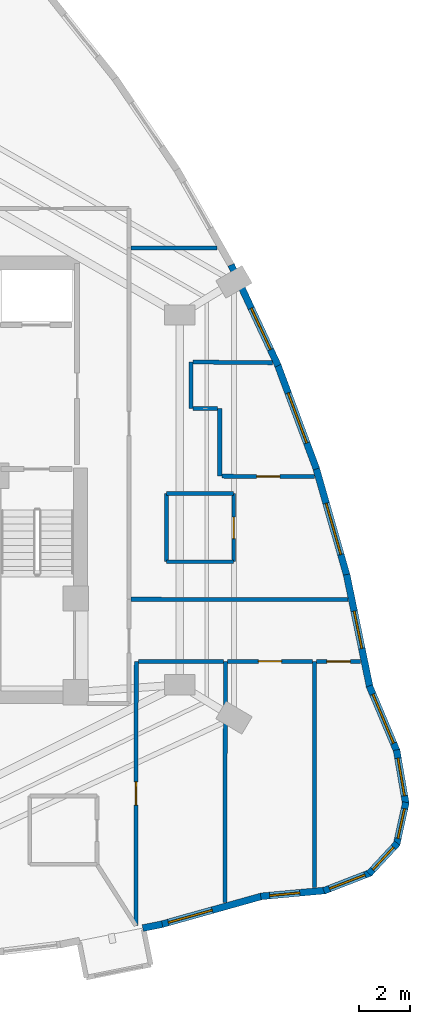
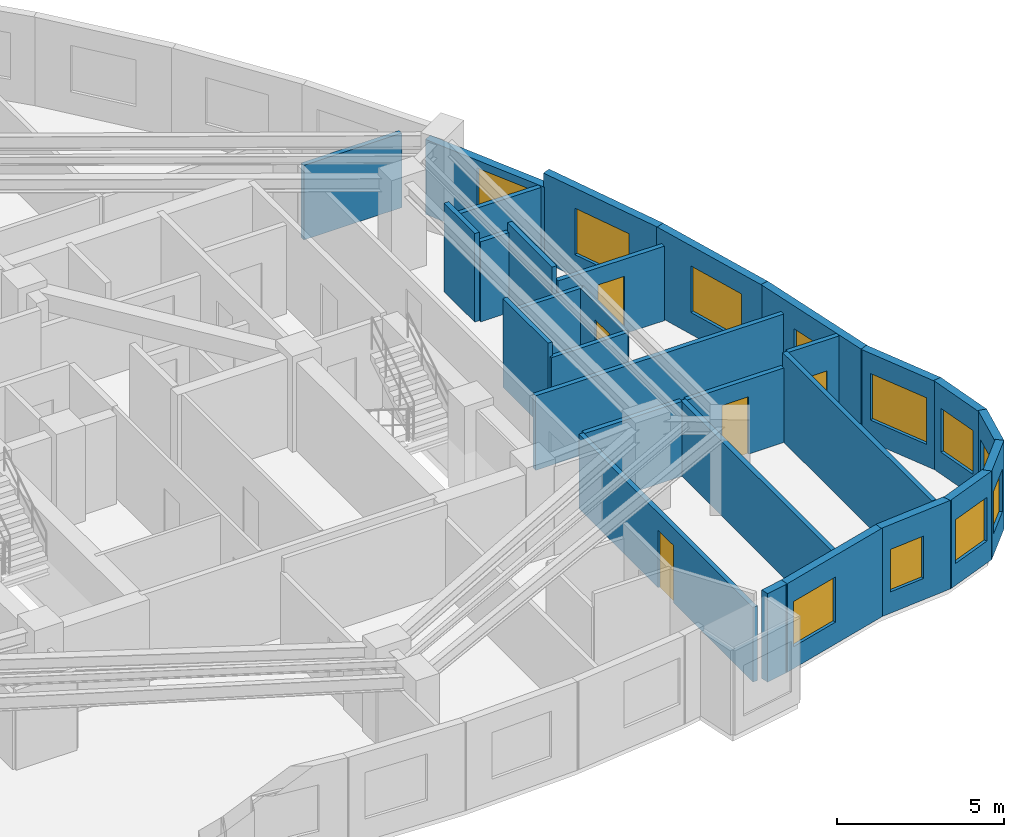
# One storey, part 9 of 12: 29 walls, 11 windows, 5 doors, 16 openings.
"""IFC4 building model written with IfcOpenShell, lengths in metres."""

from ifc_helpers import new_model, si_unit, direction, frame, frame_2d, origin, place, context, subcontext, project, spatial, rectangle, extrude, material, layer, layer_set, type_object, element, fill, save


model = new_model("IFC4")

# Units and contexts
model_context = context("Model", 3, precision=1e-05, world=origin(), true_north=direction((0.0, 1.0)))
body_context = subcontext(model_context, "Body", "Model", "MODEL_VIEW")
ifc_project = project(units=[si_unit("LENGTHUNIT", "METRE"), si_unit("AREAUNIT", "SQUARE_METRE"), si_unit("VOLUMEUNIT", "CUBIC_METRE"), si_unit("PLANEANGLEUNIT", "RADIAN"), si_unit("MASSUNIT", "GRAM", prefix="KILO")], contexts=[model_context])

# Site, building, storey
site_placement = place(None, origin())
site = spatial("IfcSite", under=ifc_project, at=site_placement, CompositionType="ELEMENT")
building_placement = place(site_placement, origin())
building = spatial("IfcBuilding", under=site, at=building_placement, Name="Miruveldt Soraemaru", CompositionType="ELEMENT")
storey_placement = place(building_placement, frame((0.0, 0.0, 145.89990234375)))
storey = spatial("IfcBuildingStorey", under=building, at=storey_placement, Name="L40", CompositionType="ELEMENT", Elevation=145.89990234375)

# Wall
ifc_material_1 = material(Name="Precast concrete C45/55 (45 MPa)", Category="concrete")
ifc_layer_1 = layer(ifc_material_1, 0.27001953125, Name="Precast concrete C45/55 (45 MPa)", Category="concrete")
ifc_layer_set_1 = layer_set([ifc_layer_1], Name="Precast concrete C45/55 (45 MPa)")
wall_type_1 = type_object("IfcWallType", Name="WALL-EXT-PC270", PredefinedType="SOLIDWALL", material=ifc_layer_set_1)
wall_1_placement = place(storey_placement, frame((55.14111328125, 26.188720703125, 0.0), z_axis=(0.0, 0.0, 1.0), x_axis=(0.98059266213, 0.196056193414, 0.0)))
element("IfcWall", 1, at=wall_1_placement, inside=storey, type_object=wall_type_1, Name="L40 Precast Pier Wall 27B", PredefinedType="SOLIDWALL", context=body_context, shape_type="SweptSolid", body=[
    extrude(rectangle(XDim=0.783203125, YDim=0.27001953125, at=frame_2d((0.3916015625, 0.0))), origin(), (0.0, 0.0, 1.0), 3.235107421875),
])

# Wall, opening, window
wall_2_placement = place(storey_placement, frame((55.84130859375, 26.326171875, 0.0), z_axis=(0.0, 0.0, 1.0), x_axis=(0.962977968869, 0.269580102147, 0.0)))
wall_2 = element("IfcWall", 2, at=wall_2_placement, inside=storey, type_object=wall_type_1, Name="L40 Precast Concrete Facade Wall 28", PredefinedType="SOLIDWALL", context=body_context, shape_type="SweptSolid", body=[
    extrude(rectangle(XDim=4.180419921875, YDim=0.27001953125, at=frame_2d((2.09033203125, 0.0))), origin(), (0.0, 0.0, 1.0), 3.235107421875),
])
opening_1_placement = place(wall_2_placement, frame((0.322021484375, 0.0, 0.800048828125)))
opening_1 = element("IfcOpeningElement", 3, at=opening_1_placement, cuts=wall_2, Name="Opening WN-2", PredefinedType="OPENING", context=body_context, shape_type="SweptSolid", body=[
    extrude(rectangle(XDim=1.800048828125, YDim=1.64990234375, at=frame_2d((0.89990234375, 0.824951171875))), frame((0.0, 0.14501953125, 0.0), z_axis=(0.0, -1.0, 0.0), x_axis=(1.0, 0.0, 0.0)), (0.0, 0.0, 1.0), 0.2900390625),
])
ifc_material_2 = material(Name="Triple low-e insulated glazing", Category="glass")
window_type_1 = type_object("IfcWindowType", Name="WIN-PUNCH-1800x1650", PartitioningType="SINGLE_PANEL", PredefinedType="WINDOW", material=ifc_material_2)
window_1_placement = place(opening_1_placement, origin())
window_1 = element("IfcWindow", 4, at=window_1_placement, inside=storey, type_object=window_type_1, Name="L40 Punched Triple-Glazed Window 28.1", OverallHeight=1.64990234375, OverallWidth=1.800048828125, PartitioningType="SINGLE_PANEL", PredefinedType="WINDOW", context=body_context, shape_type="SweptSolid", body=[
    extrude(rectangle(XDim=1.800048828125, YDim=1.64990234375, at=frame_2d((0.89990234375, 0.824951171875))), frame((0.0, 0.030029296875, 0.0), z_axis=(0.0, -1.0, 0.0), x_axis=(1.0, 0.0, 0.0)), (0.0, 0.0, 1.0), 0.06005859375),
])
fill(opening_1, window_1)

wall_3_placement = place(storey_placement, frame((59.79833984375, 27.440673828125, 0.0), z_axis=(0.0, 0.0, 1.0), x_axis=(0.995762129264, 0.091966199898, 0.0)))
wall_3 = element("IfcWall", 5, at=wall_3_placement, inside=storey, type_object=wall_type_1, Name="L40 Precast Concrete Facade Wall 29", PredefinedType="SOLIDWALL", context=body_context, shape_type="SweptSolid", body=[
    extrude(rectangle(XDim=2.56982421875, YDim=0.27001953125, at=frame_2d((1.284912109375, 0.0))), origin(), (0.0, 0.0, 1.0), 3.235107421875),
])
opening_2_placement = place(wall_3_placement, frame((0.35009765625, 0.0, 0.780029296875)))
opening_2 = element("IfcOpeningElement", 6, at=opening_2_placement, cuts=wall_3, Name="Opening WN-4", PredefinedType="OPENING", context=body_context, shape_type="SweptSolid", body=[
    extrude(rectangle(XDim=1.199951171875, YDim=1.550048828125, at=frame_2d((0.60009765625, 0.77490234375))), frame((0.0, 0.14501953125, 0.0), z_axis=(0.0, -1.0, 0.0), x_axis=(1.0, 0.0, 0.0)), (0.0, 0.0, 1.0), 0.2900390625),
])
window_type_2 = type_object("IfcWindowType", Name="WIN-PUNCH-1200x1550", PartitioningType="SINGLE_PANEL", PredefinedType="WINDOW", material=ifc_material_2)
window_2_placement = place(opening_2_placement, origin())
window_2 = element("IfcWindow", 7, at=window_2_placement, inside=storey, type_object=window_type_2, Name="L40 Punched Triple-Glazed Window 29.1", OverallHeight=1.550048828125, OverallWidth=1.199951171875, PartitioningType="SINGLE_PANEL", PredefinedType="WINDOW", context=body_context, shape_type="SweptSolid", body=[
    extrude(rectangle(XDim=1.199951171875, YDim=1.550048828125, at=frame_2d((0.60009765625, 0.77490234375))), frame((0.0, 0.030029296875, 0.0), z_axis=(0.0, -1.0, 0.0), x_axis=(1.0, 0.0, 0.0)), (0.0, 0.0, 1.0), 0.06005859375),
])
fill(opening_2, window_2)

wall_4_placement = place(storey_placement, frame((62.28955078125, 27.660888671875, 0.0), z_axis=(0.0, 0.0, 1.0), x_axis=(0.932243176996, 0.361832363041, 0.0)))
wall_4 = element("IfcWall", 8, at=wall_4_placement, inside=storey, type_object=wall_type_1, Name="L40 Precast Concrete Facade Wall 30", PredefinedType="SOLIDWALL", context=body_context, shape_type="SweptSolid", body=[
    extrude(rectangle(XDim=1.97705078125, YDim=0.27001953125, at=frame_2d((0.988525390625, 0.0))), origin(), (0.0, 0.0, 1.0), 3.235107421875),
])
opening_3_placement = place(wall_4_placement, frame((0.238037109375, 0.0, 0.800048828125)))
opening_3 = element("IfcOpeningElement", 9, at=opening_3_placement, cuts=wall_4, Name="Opening WN-3", PredefinedType="OPENING", context=body_context, shape_type="SweptSolid", body=[
    extrude(rectangle(XDim=1.5, YDim=1.60009765625, at=frame_2d((0.75, 0.800048828125))), frame((0.0, 0.14501953125, 0.0), z_axis=(0.0, -1.0, 0.0), x_axis=(1.0, 0.0, 0.0)), (0.0, 0.0, 1.0), 0.2900390625),
])
window_type_3 = type_object("IfcWindowType", Name="WIN-PUNCH-1500x1600", PartitioningType="SINGLE_PANEL", PredefinedType="WINDOW", material=ifc_material_2)
window_3_placement = place(opening_3_placement, origin())
window_3 = element("IfcWindow", 10, at=window_3_placement, inside=storey, type_object=window_type_3, Name="L40 Punched Triple-Glazed Window 30.1", OverallHeight=1.60009765625, OverallWidth=1.5, PartitioningType="SINGLE_PANEL", PredefinedType="WINDOW", context=body_context, shape_type="SweptSolid", body=[
    extrude(rectangle(XDim=1.5, YDim=1.60009765625, at=frame_2d((0.75, 0.800048828125))), frame((0.0, 0.030029296875, 0.0), z_axis=(0.0, -1.0, 0.0), x_axis=(1.0, 0.0, 0.0)), (0.0, 0.0, 1.0), 0.06005859375),
])
fill(opening_3, window_3)

wall_5_placement = place(storey_placement, frame((64.076171875, 28.337890625, 0.0), z_axis=(0.0, 0.0, 1.0), x_axis=(0.680159524086, 0.733064132116, 0.0)))
wall_5 = element("IfcWall", 11, at=wall_5_placement, inside=storey, type_object=wall_type_1, Name="L40 Precast Concrete Facade Wall 31", PredefinedType="SOLIDWALL", context=body_context, shape_type="SweptSolid", body=[
    extrude(rectangle(XDim=1.63818359375, YDim=0.27001953125, at=frame_2d((0.819091796875, 0.0))), origin(), (0.0, 0.0, 1.0), 3.235107421875),
])
opening_4_placement = place(wall_5_placement, frame((0.218994140625, 0.0, 0.780029296875)))
opening_4 = element("IfcOpeningElement", 12, at=opening_4_placement, cuts=wall_5, Name="Opening WN-4", PredefinedType="OPENING", context=body_context, shape_type="SweptSolid", body=[
    extrude(rectangle(XDim=1.199951171875, YDim=1.550048828125, at=frame_2d((0.60009765625, 0.77490234375))), frame((0.0, 0.14501953125, 0.0), z_axis=(0.0, -1.0, 0.0), x_axis=(1.0, 0.0, 0.0)), (0.0, 0.0, 1.0), 0.2900390625),
])
window_4_placement = place(opening_4_placement, origin())
window_4 = element("IfcWindow", 13, at=window_4_placement, inside=storey, type_object=window_type_2, Name="L40 Punched Triple-Glazed Window 31.1", OverallHeight=1.550048828125, OverallWidth=1.199951171875, PartitioningType="SINGLE_PANEL", PredefinedType="WINDOW", context=body_context, shape_type="SweptSolid", body=[
    extrude(rectangle(XDim=1.199951171875, YDim=1.550048828125, at=frame_2d((0.60009765625, 0.77490234375))), frame((0.0, 0.030029296875, 0.0), z_axis=(0.0, -1.0, 0.0), x_axis=(1.0, 0.0, 0.0)), (0.0, 0.0, 1.0), 0.06005859375),
])
fill(opening_4, window_4)

wall_6_placement = place(storey_placement, frame((65.1591796875, 29.478759765625, 0.0), z_axis=(0.0, 0.0, 1.0), x_axis=(0.215561098386, 0.976490354721, 0.0)))
wall_6 = element("IfcWall", 14, at=wall_6_placement, inside=storey, type_object=wall_type_1, Name="L40 Precast Concrete Facade Wall 32", PredefinedType="SOLIDWALL", context=body_context, shape_type="SweptSolid", body=[
    extrude(rectangle(XDim=1.718017578125, YDim=0.27001953125, at=frame_2d((0.85888671875, 0.0))), origin(), (0.0, 0.0, 1.0), 3.235107421875),
])
opening_5_placement = place(wall_6_placement, frame((0.259033203125, 0.0, 0.780029296875)))
opening_5 = element("IfcOpeningElement", 15, at=opening_5_placement, cuts=wall_6, Name="Opening WN-4", PredefinedType="OPENING", context=body_context, shape_type="SweptSolid", body=[
    extrude(rectangle(XDim=1.199951171875, YDim=1.550048828125, at=frame_2d((0.60009765625, 0.77490234375))), frame((0.0, 0.14501953125, 0.0), z_axis=(0.0, -1.0, 0.0), x_axis=(1.0, 0.0, 0.0)), (0.0, 0.0, 1.0), 0.2900390625),
])
window_5_placement = place(opening_5_placement, origin())
window_5 = element("IfcWindow", 16, at=window_5_placement, inside=storey, type_object=window_type_2, Name="L40 Punched Triple-Glazed Window 32.1", OverallHeight=1.550048828125, OverallWidth=1.199951171875, PartitioningType="SINGLE_PANEL", PredefinedType="WINDOW", context=body_context, shape_type="SweptSolid", body=[
    extrude(rectangle(XDim=1.199951171875, YDim=1.550048828125, at=frame_2d((0.60009765625, 0.77490234375))), frame((0.0, 0.030029296875, 0.0), z_axis=(0.0, -1.0, 0.0), x_axis=(1.0, 0.0, 0.0)), (0.0, 0.0, 1.0), 0.06005859375),
])
fill(opening_5, window_5)

wall_7_placement = place(storey_placement, frame((65.528076171875, 31.087890625, 0.0), z_axis=(0.0, 0.0, 1.0), x_axis=(-0.169360474061, 0.985554173968, 0.0)))
wall_7 = element("IfcWall", 17, at=wall_7_placement, inside=storey, type_object=wall_type_1, Name="L40 Precast Concrete Facade Wall 33", PredefinedType="SOLIDWALL", context=body_context, shape_type="SweptSolid", body=[
    extrude(rectangle(XDim=2.16943359375, YDim=0.27001953125, at=frame_2d((1.084716796875, 0.0))), origin(), (0.0, 0.0, 1.0), 3.235107421875),
])
opening_6_placement = place(wall_7_placement, frame((0.3349609375, 0.0, 0.800048828125)))
opening_6 = element("IfcOpeningElement", 18, at=opening_6_placement, cuts=wall_7, Name="Opening WN-3", PredefinedType="OPENING", context=body_context, shape_type="SweptSolid", body=[
    extrude(rectangle(XDim=1.5, YDim=1.60009765625, at=frame_2d((0.75, 0.800048828125))), frame((0.0, 0.14501953125, 0.0), z_axis=(0.0, -1.0, 0.0), x_axis=(1.0, 0.0, 0.0)), (0.0, 0.0, 1.0), 0.2900390625),
])
window_6_placement = place(opening_6_placement, origin())
window_6 = element("IfcWindow", 19, at=window_6_placement, inside=storey, type_object=window_type_3, Name="L40 Punched Triple-Glazed Window 33.1", OverallHeight=1.60009765625, OverallWidth=1.5, PartitioningType="SINGLE_PANEL", PredefinedType="WINDOW", context=body_context, shape_type="SweptSolid", body=[
    extrude(rectangle(XDim=1.5, YDim=1.60009765625, at=frame_2d((0.75, 0.800048828125))), frame((0.0, 0.030029296875, 0.0), z_axis=(0.0, -1.0, 0.0), x_axis=(1.0, 0.0, 0.0)), (0.0, 0.0, 1.0), 0.06005859375),
])
fill(opening_6, window_6)

wall_8_placement = place(storey_placement, frame((65.18017578125, 33.159423828125, 0.0), z_axis=(0.0, 0.0, 1.0), x_axis=(-0.388688999756, 0.921369014819, 0.0)))
wall_8 = element("IfcWall", 20, at=wall_8_placement, inside=storey, type_object=wall_type_1, Name="L40 Precast Concrete Facade Wall 34", PredefinedType="SOLIDWALL", context=body_context, shape_type="SweptSolid", body=[
    extrude(rectangle(XDim=2.814453125, YDim=0.27001953125, at=frame_2d((1.4072265625, 0.0))), origin(), (0.0, 0.0, 1.0), 3.235107421875),
])
opening_7_placement = place(wall_8_placement, frame((0.35693359375, 0.0, 0.800048828125)))
opening_7 = element("IfcOpeningElement", 21, at=opening_7_placement, cuts=wall_8, Name="Opening WN-1", PredefinedType="OPENING", context=body_context, shape_type="SweptSolid", body=[
    extrude(rectangle(XDim=2.10009765625, YDim=1.699951171875, at=frame_2d((1.050048828125, 0.85009765625))), frame((0.0, 0.14501953125, 0.0), z_axis=(0.0, -1.0, 0.0), x_axis=(1.0, 0.0, 0.0)), (0.0, 0.0, 1.0), 0.2900390625),
])
window_type_4 = type_object("IfcWindowType", Name="WIN-PUNCH-2100x1700", PartitioningType="SINGLE_PANEL", PredefinedType="WINDOW", material=ifc_material_2)
window_7_placement = place(opening_7_placement, origin())
window_7 = element("IfcWindow", 22, at=window_7_placement, inside=storey, type_object=window_type_4, Name="L40 Punched Triple-Glazed Window 34.1", OverallHeight=1.699951171875, OverallWidth=2.10009765625, PartitioningType="SINGLE_PANEL", PredefinedType="WINDOW", context=body_context, shape_type="SweptSolid", body=[
    extrude(rectangle(XDim=2.10009765625, YDim=1.699951171875, at=frame_2d((1.050048828125, 0.85009765625))), frame((0.0, 0.030029296875, 0.0), z_axis=(0.0, -1.0, 0.0), x_axis=(1.0, 0.0, 0.0)), (0.0, 0.0, 1.0), 0.06005859375),
])
fill(opening_7, window_7)

wall_9_placement = place(storey_placement, frame((64.10693359375, 35.686279296875, 0.0), z_axis=(0.0, 0.0, 1.0), x_axis=(-0.201554632972, 0.979477273819, 0.0)))
wall_9 = element("IfcWall", 23, at=wall_9_placement, inside=storey, type_object=wall_type_1, Name="L40 Precast Concrete Facade Wall 35", PredefinedType="SOLIDWALL", context=body_context, shape_type="SweptSolid", body=[
    extrude(rectangle(XDim=4.5556640625, YDim=0.27001953125, at=frame_2d((2.27783203125, 0.0))), origin(), (0.0, 0.0, 1.0), 3.235107421875),
])
opening_8_placement = place(wall_9_placement, frame((1.576904296875, 0.0, 0.800048828125)))
opening_8 = element("IfcOpeningElement", 24, at=opening_8_placement, cuts=wall_9, Name="Opening WN-3", PredefinedType="OPENING", context=body_context, shape_type="SweptSolid", body=[
    extrude(rectangle(XDim=1.5, YDim=1.60009765625, at=frame_2d((0.75, 0.800048828125))), frame((0.0, 0.14501953125, 0.0), z_axis=(0.0, -1.0, 0.0), x_axis=(1.0, 0.0, 0.0)), (0.0, 0.0, 1.0), 0.2900390625),
])
window_8_placement = place(opening_8_placement, origin())
window_8 = element("IfcWindow", 25, at=window_8_placement, inside=storey, type_object=window_type_3, Name="L40 Punched Triple-Glazed Window 35.1", OverallHeight=1.60009765625, OverallWidth=1.5, PartitioningType="SINGLE_PANEL", PredefinedType="WINDOW", context=body_context, shape_type="SweptSolid", body=[
    extrude(rectangle(XDim=1.5, YDim=1.60009765625, at=frame_2d((0.75, 0.800048828125))), frame((0.0, 0.030029296875, 0.0), z_axis=(0.0, -1.0, 0.0), x_axis=(1.0, 0.0, 0.0)), (0.0, 0.0, 1.0), 0.06005859375),
])
fill(opening_8, window_8)

wall_10_placement = place(storey_placement, frame((63.205322265625, 40.080322265625, 0.0), z_axis=(0.0, 0.0, 1.0), x_axis=(-0.274951687452, 0.961458043581, 0.0)))
wall_10 = element("IfcWall", 26, at=wall_10_placement, inside=storey, type_object=wall_type_1, Name="L40 Precast Concrete Facade Wall 36", PredefinedType="SOLIDWALL", context=body_context, shape_type="SweptSolid", body=[
    extrude(rectangle(XDim=4.47509765625, YDim=0.27001953125, at=frame_2d((2.237548828125, 0.0))), origin(), (0.0, 0.0, 1.0), 3.235107421875),
])
opening_9_placement = place(wall_10_placement, frame((0.89599609375, 0.0, 0.800048828125)))
opening_9 = element("IfcOpeningElement", 27, at=opening_9_placement, cuts=wall_10, Name="Opening WN-1", PredefinedType="OPENING", context=body_context, shape_type="SweptSolid", body=[
    extrude(rectangle(XDim=2.10009765625, YDim=1.699951171875, at=frame_2d((1.050048828125, 0.85009765625))), frame((0.0, 0.14501953125, 0.0), z_axis=(0.0, -1.0, 0.0), x_axis=(1.0, 0.0, 0.0)), (0.0, 0.0, 1.0), 0.2900390625),
])
window_9_placement = place(opening_9_placement, origin())
window_9 = element("IfcWindow", 28, at=window_9_placement, inside=storey, type_object=window_type_4, Name="L40 Punched Triple-Glazed Window 36.1", OverallHeight=1.699951171875, OverallWidth=2.10009765625, PartitioningType="SINGLE_PANEL", PredefinedType="WINDOW", context=body_context, shape_type="SweptSolid", body=[
    extrude(rectangle(XDim=2.10009765625, YDim=1.699951171875, at=frame_2d((1.050048828125, 0.85009765625))), frame((0.0, 0.030029296875, 0.0), z_axis=(0.0, -1.0, 0.0), x_axis=(1.0, 0.0, 0.0)), (0.0, 0.0, 1.0), 0.06005859375),
])
fill(opening_9, window_9)

wall_11_placement = place(storey_placement, frame((61.99658203125, 44.31640625, 0.0), z_axis=(0.0, 0.0, 1.0), x_axis=(-0.348992055051, 0.937125682879, 0.0)))
wall_11 = element("IfcWall", 29, at=wall_11_placement, inside=storey, type_object=wall_type_1, Name="L40 Precast Concrete Facade Wall 37", PredefinedType="SOLIDWALL", context=body_context, shape_type="SweptSolid", body=[
    extrude(rectangle(XDim=4.42041015625, YDim=0.27001953125, at=frame_2d((2.210205078125, 0.0))), origin(), (0.0, 0.0, 1.0), 3.235107421875),
])
opening_10_placement = place(wall_11_placement, frame((1.097900390625, 0.0, 0.800048828125)))
opening_10 = element("IfcOpeningElement", 30, at=opening_10_placement, cuts=wall_11, Name="Opening WN-1", PredefinedType="OPENING", context=body_context, shape_type="SweptSolid", body=[
    extrude(rectangle(XDim=2.10009765625, YDim=1.699951171875, at=frame_2d((1.050048828125, 0.85009765625))), frame((0.0, 0.14501953125, 0.0), z_axis=(0.0, -1.0, 0.0), x_axis=(1.0, 0.0, 0.0)), (0.0, 0.0, 1.0), 0.2900390625),
])
window_10_placement = place(opening_10_placement, origin())
window_10 = element("IfcWindow", 31, at=window_10_placement, inside=storey, type_object=window_type_4, Name="L40 Punched Triple-Glazed Window 37.1", OverallHeight=1.699951171875, OverallWidth=2.10009765625, PartitioningType="SINGLE_PANEL", PredefinedType="WINDOW", context=body_context, shape_type="SweptSolid", body=[
    extrude(rectangle(XDim=2.10009765625, YDim=1.699951171875, at=frame_2d((1.050048828125, 0.85009765625))), frame((0.0, 0.030029296875, 0.0), z_axis=(0.0, -1.0, 0.0), x_axis=(1.0, 0.0, 0.0)), (0.0, 0.0, 1.0), 0.06005859375),
])
fill(opening_10, window_10)

wall_12_placement = place(storey_placement, frame((60.480712890625, 48.39453125, 0.0), z_axis=(0.0, 0.0, 1.0), x_axis=(-0.422276858634, 0.906466907649, 0.0)))
wall_12 = element("IfcWall", 32, at=wall_12_placement, inside=storey, type_object=wall_type_1, Name="L40 Precast Concrete Facade Wall 38", PredefinedType="SOLIDWALL", context=body_context, shape_type="SweptSolid", body=[
    extrude(rectangle(XDim=4.392822265625, YDim=0.27001953125, at=frame_2d((2.1962890625, 0.0))), origin(), (0.0, 0.0, 1.0), 2.735107421875),
])
opening_11_placement = place(wall_12_placement, frame((0.701904296875, 0.0, 0.800048828125)))
opening_11 = element("IfcOpeningElement", 33, at=opening_11_placement, cuts=wall_12, Name="Opening WN-2", PredefinedType="OPENING", context=body_context, shape_type="SweptSolid", body=[
    extrude(rectangle(XDim=1.800048828125, YDim=1.64990234375, at=frame_2d((0.89990234375, 0.824951171875))), frame((0.0, 0.14501953125, 0.0), z_axis=(0.0, -1.0, 0.0), x_axis=(1.0, 0.0, 0.0)), (0.0, 0.0, 1.0), 0.2900390625),
])
window_11_placement = place(opening_11_placement, origin())
window_11 = element("IfcWindow", 34, at=window_11_placement, inside=storey, type_object=window_type_1, Name="L40 Punched Triple-Glazed Window 38.1", OverallHeight=1.64990234375, OverallWidth=1.800048828125, PartitioningType="SINGLE_PANEL", PredefinedType="WINDOW", context=body_context, shape_type="SweptSolid", body=[
    extrude(rectangle(XDim=1.800048828125, YDim=1.64990234375, at=frame_2d((0.89990234375, 0.824951171875))), frame((0.0, 0.030029296875, 0.0), z_axis=(0.0, -1.0, 0.0), x_axis=(1.0, 0.0, 0.0)), (0.0, 0.0, 1.0), 0.06005859375),
])
fill(opening_11, window_11)

# Wall, opening, door
ifc_material_3 = material(Name="Gypsum plasterboard lining", Category="gypsum")
ifc_layer_2 = layer(ifc_material_3, 0.14990234375, Name="Gypsum plasterboard lining", Category="gypsum")
ifc_layer_set_2 = layer_set([ifc_layer_2], Name="Gypsum plasterboard lining")
wall_type_2 = type_object("IfcWallType", Name="WALL-INT-PLUMB", PredefinedType="PLUMBINGWALL", material=ifc_layer_set_2)
wall_13_placement = place(storey_placement, frame((58.72998046875, 40.654052734375, 0.0), z_axis=(0.0, 0.0, 1.0), x_axis=(0.0, 1.0, 0.0)))
wall_13 = element("IfcWall", 35, at=wall_13_placement, inside=storey, type_object=wall_type_2, Name="L40 Partition Wall 53", PredefinedType="PLUMBINGWALL", context=body_context, shape_type="SweptSolid", body=[
    extrude(rectangle(XDim=2.699951171875, YDim=0.14990234375, at=frame_2d((1.35009765625, 0.0))), origin(), (0.0, 0.0, 1.0), 2.72314453125),
])
opening_12_placement = place(wall_13_placement, frame((0.909912109375, 0.0, 0.0)))
opening_12 = element("IfcOpeningElement", 36, at=opening_12_placement, cuts=wall_13, Name="Opening FD3", PredefinedType="OPENING", context=body_context, shape_type="SweptSolid", body=[
    extrude(rectangle(XDim=0.85009765625, YDim=2.10009765625, at=frame_2d((0.425048828125, 1.050048828125))), frame((0.0, 0.0849609375, 0.0), z_axis=(0.0, -1.0, 0.0), x_axis=(1.0, 0.0, 0.0)), (0.0, 0.0, 1.0), 0.169921875),
])
ifc_material_4 = material(Name="Anodised aluminium EN AW-6063 T6", Category="aluminium")
door_type_1 = type_object("IfcDoorType", Name="DOOR-FD3-850", OperationType="NOTDEFINED", PredefinedType="DOOR", material=ifc_material_4)
door_1_placement = place(opening_12_placement, origin())
door_1 = element("IfcDoor", 37, at=door_1_placement, inside=storey, type_object=door_type_1, Name="L40 Unit 4007 BTH Door", OperationType="SINGLE_SWING_RIGHT", OverallHeight=2.10009765625, OverallWidth=0.85009765625, PredefinedType="DOOR", context=body_context, shape_type="SweptSolid", body=[
    extrude(rectangle(XDim=0.85009765625, YDim=2.10009765625, at=frame_2d((0.425048828125, 1.050048828125))), frame((0.0, 0.02490234375, 0.0), z_axis=(0.0, -1.0, 0.0), x_axis=(1.0, 0.0, 0.0)), (0.0, 0.0, 1.0), 0.050048828125),
])
fill(opening_12, door_1)

# Walls
wall_14_placement = place(storey_placement, frame((56.080078125, 43.35400390625, 0.0), z_axis=(0.0, 0.0, 1.0), x_axis=(0.0, -1.0, 0.0)))
element("IfcWall", 38, at=wall_14_placement, inside=storey, type_object=wall_type_2, Name="L40 Partition Wall 55", PredefinedType="PLUMBINGWALL", context=body_context, shape_type="SweptSolid", body=[
    extrude(rectangle(XDim=2.699951171875, YDim=0.14990234375, at=frame_2d((1.35009765625, 0.0))), origin(), (0.0, 0.0, 1.0), 3.235107421875),
])
for number, where, z_axis, x_axis, name in (
    (39, (58.72998046875, 43.35400390625, 0.0), (0.0, 0.0, 1.0), (-1.0, 0.0, 0.0), "L40 Partition Wall 54"),
    (40, (56.080078125, 40.654052734375, 0.0), (0.0, 0.0, 1.0), (1.0, 0.0, 0.0), "L40 Partition Wall 56"),
):
    element("IfcWall", number, at=place(storey_placement, frame(where, z_axis=z_axis, x_axis=x_axis)), inside=storey, type_object=wall_type_2, Name=name, PredefinedType="PLUMBINGWALL", context=body_context, shape_type="SweptSolid", body=[
        extrude(rectangle(XDim=2.64990234375, YDim=0.14990234375, at=frame_2d((1.324951171875, 0.0))), origin(), (0.0, 0.0, 1.0), 2.72314453125),
    ])

# Wall, opening, door
ifc_material_5 = material(Name="Concrete C40/50 (40 MPa)", Category="concrete")
ifc_layer_3 = layer(ifc_material_5, 0.159912109375, Name="Concrete C40/50 (40 MPa)", Category="concrete")
ifc_layer_set_3 = layer_set([ifc_layer_3], Name="Concrete C40/50 (40 MPa)")
wall_type_3 = type_object("IfcWallType", Name="WALL-INT-RC160", PredefinedType="SOLIDWALL", material=ifc_layer_set_3)
wall_15_placement = place(storey_placement, frame((54.8701171875, 26.2880859375, 0.0), z_axis=(0.0, 0.0, 1.0), x_axis=(0.001333456916, 0.999999110946, 0.0)))
wall_15 = element("IfcWall", 41, at=wall_15_placement, inside=storey, type_object=wall_type_3, Name="L40 Partition Wall 46", PredefinedType="SOLIDWALL", context=body_context, shape_type="SweptSolid", body=[
    extrude(rectangle(XDim=10.43603515625, YDim=0.159912109375, at=frame_2d((5.218017578125, 0.0))), origin(), (0.0, 0.0, 1.0), 2.72314453125),
])
opening_13_placement = place(wall_15_placement, frame((4.758056640625, 0.0, 0.0)))
opening_13 = element("IfcOpeningElement", 42, at=opening_13_placement, cuts=wall_15, Name="Opening D3A", PredefinedType="OPENING", context=body_context, shape_type="SweptSolid", body=[
    extrude(rectangle(XDim=0.919921875, YDim=2.10009765625, at=frame_2d((0.4599609375, 1.050048828125))), frame((0.0, 0.08984375, 0.0), z_axis=(0.0, -1.0, 0.0), x_axis=(1.0, 0.0, 0.0)), (0.0, 0.0, 1.0), 0.179931640625),
])
door_type_2 = type_object("IfcDoorType", Name="DOOR-INT-920", OperationType="NOTDEFINED", PredefinedType="DOOR", material=ifc_material_4)
door_2_placement = place(opening_13_placement, origin())
door_2 = element("IfcDoor", 43, at=door_2_placement, inside=storey, type_object=door_type_2, Name="L40 Unit 4006 BD1 Door", OperationType="SINGLE_SWING_RIGHT", OverallHeight=2.10009765625, OverallWidth=0.919921875, PredefinedType="DOOR", context=body_context, shape_type="SweptSolid", body=[
    extrude(rectangle(XDim=0.919921875, YDim=2.10009765625, at=frame_2d((0.4599609375, 1.050048828125))), frame((0.0, 0.02490234375, 0.0), z_axis=(0.0, -1.0, 0.0), x_axis=(1.0, 0.0, 0.0)), (0.0, 0.0, 1.0), 0.050048828125),
])
fill(opening_13, door_2)

wall_16_placement = place(storey_placement, frame((61.925048828125, 44.011962890625, 0.0), z_axis=(0.0, 0.0, 1.0), x_axis=(-0.999986501879, 0.005195773191, 0.0)))
wall_16 = element("IfcWall", 44, at=wall_16_placement, inside=storey, type_object=wall_type_3, Name="L40 Partition Wall 57", PredefinedType="SOLIDWALL", context=body_context, shape_type="SweptSolid", body=[
    extrude(rectangle(XDim=3.6650390625, YDim=0.159912109375, at=frame_2d((1.83251953125, 0.0))), origin(), (0.0, 0.0, 1.0), 2.72314453125),
])
opening_14_placement = place(wall_16_placement, frame((1.373046875, 0.0, 0.0)))
opening_14 = element("IfcOpeningElement", 45, at=opening_14_placement, cuts=wall_16, Name="Opening D3A", PredefinedType="OPENING", context=body_context, shape_type="SweptSolid", body=[
    extrude(rectangle(XDim=0.919921875, YDim=2.10009765625, at=frame_2d((0.4599609375, 1.050048828125))), frame((0.0, 0.08984375, 0.0), z_axis=(0.0, -1.0, 0.0), x_axis=(1.0, 0.0, 0.0)), (0.0, 0.0, 1.0), 0.179931640625),
])
door_3_placement = place(opening_14_placement, origin())
door_3 = element("IfcDoor", 46, at=door_3_placement, inside=storey, type_object=door_type_2, Name="L40 Unit 4007 BD1 Door", OperationType="SINGLE_SWING_LEFT", OverallHeight=2.10009765625, OverallWidth=0.919921875, PredefinedType="DOOR", context=body_context, shape_type="SweptSolid", body=[
    extrude(rectangle(XDim=0.919921875, YDim=2.10009765625, at=frame_2d((0.4599609375, 1.050048828125))), frame((0.0, 0.02490234375, 0.0), z_axis=(0.0, -1.0, 0.0), x_axis=(1.0, 0.0, 0.0)), (0.0, 0.0, 1.0), 0.050048828125),
])
fill(opening_14, door_3)

wall_17_placement = place(storey_placement, frame((58.48291015625, 36.72412109375, 0.0), z_axis=(0.0, 0.0, 1.0), x_axis=(1.0, 0.0, 0.0)))
wall_17 = element("IfcWall", 47, at=wall_17_placement, inside=storey, type_object=wall_type_3, Name="L40 Partition Wall 48", PredefinedType="SOLIDWALL", context=body_context, shape_type="SweptSolid", body=[
    extrude(rectangle(XDim=3.359130859375, YDim=0.159912109375, at=frame_2d((1.6796875, 0.0))), origin(), (0.0, 0.0, 1.0), 2.72314453125),
])
opening_15_placement = place(wall_17_placement, frame((1.219970703125, 0.0, 0.0)))
opening_15 = element("IfcOpeningElement", 48, at=opening_15_placement, cuts=wall_17, Name="Opening D3A", PredefinedType="OPENING", context=body_context, shape_type="SweptSolid", body=[
    extrude(rectangle(XDim=0.919921875, YDim=2.10009765625, at=frame_2d((0.4599609375, 1.050048828125))), frame((0.0, 0.08984375, 0.0), z_axis=(0.0, -1.0, 0.0), x_axis=(1.0, 0.0, 0.0)), (0.0, 0.0, 1.0), 0.179931640625),
])
door_4_placement = place(opening_15_placement, origin())
door_4 = element("IfcDoor", 49, at=door_4_placement, inside=storey, type_object=door_type_2, Name="L40 Unit 4006 BD2 Door", OperationType="SINGLE_SWING_LEFT", OverallHeight=2.10009765625, OverallWidth=0.919921875, PredefinedType="DOOR", context=body_context, shape_type="SweptSolid", body=[
    extrude(rectangle(XDim=0.919921875, YDim=2.10009765625, at=frame_2d((0.4599609375, 1.050048828125))), frame((0.0, 0.02490234375, 0.0), z_axis=(0.0, -1.0, 0.0), x_axis=(1.0, 0.0, 0.0)), (0.0, 0.0, 1.0), 0.050048828125),
])
fill(opening_15, door_4)

wall_18_placement = place(storey_placement, frame((62.001953125, 36.722900390625, 0.0), z_axis=(0.0, 0.0, 1.0), x_axis=(0.999972381323, -0.007432132409, 0.0)))
wall_18 = element("IfcWall", 50, at=wall_18_placement, inside=storey, type_object=wall_type_3, Name="L40 Partition Wall 49", PredefinedType="SOLIDWALL", context=body_context, shape_type="SweptSolid", body=[
    extrude(rectangle(XDim=1.740966796875, YDim=0.159912109375, at=frame_2d((0.87060546875, 0.0))), origin(), (0.0, 0.0, 1.0), 3.235107421875),
])
opening_16_placement = place(wall_18_placement, frame((0.410888671875, 0.0, 0.0)))
opening_16 = element("IfcOpeningElement", 51, at=opening_16_placement, cuts=wall_18, Name="Opening D3A", PredefinedType="OPENING", context=body_context, shape_type="SweptSolid", body=[
    extrude(rectangle(XDim=0.919921875, YDim=2.10009765625, at=frame_2d((0.4599609375, 1.050048828125))), frame((0.0, 0.08984375, 0.0), z_axis=(0.0, -1.0, 0.0), x_axis=(1.0, 0.0, 0.0)), (0.0, 0.0, 1.0), 0.179931640625),
])
door_5_placement = place(opening_16_placement, origin())
door_5 = element("IfcDoor", 52, at=door_5_placement, inside=storey, type_object=door_type_2, Name="L40 Unit 4006 EXT Door", OperationType="SINGLE_SWING_RIGHT", OverallHeight=2.10009765625, OverallWidth=0.919921875, PredefinedType="DOOR", context=body_context, shape_type="SweptSolid", body=[
    extrude(rectangle(XDim=0.919921875, YDim=2.10009765625, at=frame_2d((0.4599609375, 1.050048828125))), frame((0.0, 0.02490234375, 0.0), z_axis=(0.0, -1.0, 0.0), x_axis=(1.0, 0.0, 0.0)), (0.0, 0.0, 1.0), 0.050048828125),
])
fill(opening_16, door_5)

# Walls
wall_19_placement = place(storey_placement, frame((58.384033203125, 27.194091796875, 0.0), z_axis=(0.0, 0.0, 1.0), x_axis=(0.001998202748, 0.999998003591, 0.0)))
element("IfcWall", 53, at=wall_19_placement, inside=storey, type_object=wall_type_3, Name="L40 Partition Wall 51", PredefinedType="SOLIDWALL", context=body_context, shape_type="SweptSolid", body=[
    extrude(rectangle(XDim=9.530029296875, YDim=0.159912109375, at=frame_2d((4.76513671875, 0.0))), origin(), (0.0, 0.0, 1.0), 2.72314453125),
])
wall_20_placement = place(storey_placement, frame((61.916015625, 27.787109375, 0.0), z_axis=(0.0, 0.0, 1.0), x_axis=(0.000682947991, 0.999999766791, 0.0)))
element("IfcWall", 54, at=wall_20_placement, inside=storey, type_object=wall_type_3, Name="L40 Partition Wall 52", PredefinedType="SOLIDWALL", context=body_context, shape_type="SweptSolid", body=[
    extrude(rectangle(XDim=8.93701171875, YDim=0.159912109375, at=frame_2d((4.468505859375, 0.0))), origin(), (0.0, 0.0, 1.0), 3.235107421875),
])
wall_21_placement = place(storey_placement, frame((63.239013671875, 39.160888671875, 0.0), z_axis=(0.0, 0.0, 1.0), x_axis=(-0.999998812582, 0.001541050081, 0.0)))
element("IfcWall", 55, at=wall_21_placement, inside=storey, type_object=wall_type_3, Name="L40 Partition Wall 50", PredefinedType="SOLIDWALL", context=body_context, shape_type="SweptSolid", body=[
    extrude(rectangle(XDim=8.554931640625, YDim=0.159912109375, at=frame_2d((4.27734375, 0.0))), origin(), (0.0, 0.0, 1.0), 2.72314453125),
])
wall_22_placement = place(storey_placement, frame((54.68408203125, 53.050048828125, 0.0), z_axis=(0.0, 0.0, 1.0), x_axis=(1.0, 0.0, 0.0)))
element("IfcWall", 56, at=wall_22_placement, inside=storey, type_object=wall_type_3, Name="L40 Partition Wall 30", PredefinedType="SOLIDWALL", context=body_context, shape_type="SweptSolid", body=[
    extrude(rectangle(XDim=3.384033203125, YDim=0.159912109375, at=frame_2d((1.69189453125, 0.0))), origin(), (0.0, 0.0, 1.0), 2.72314453125),
])
wall_23_placement = place(storey_placement, frame((54.964111328125, 36.72412109375, 0.0), z_axis=(0.0, 0.0, 1.0), x_axis=(1.0, 0.0, 0.0)))
element("IfcWall", 57, at=wall_23_placement, inside=storey, type_object=wall_type_3, Name="L40 Partition Wall 47", PredefinedType="SOLIDWALL", context=body_context, shape_type="SweptSolid", body=[
    extrude(rectangle(XDim=3.35888671875, YDim=0.159912109375, at=frame_2d((1.679443359375, 0.0))), origin(), (0.0, 0.0, 1.0), 2.735107421875),
])
wall_24_placement = place(storey_placement, frame((57.1298828125, 48.5390625, 0.0), z_axis=(0.0, 0.0, 1.0), x_axis=(0.999956955156, -0.009278353034, 0.0)))
element("IfcWall", 58, at=wall_24_placement, inside=storey, type_object=wall_type_3, Name="L40 Partition Wall 61", PredefinedType="SOLIDWALL", context=body_context, shape_type="SweptSolid", body=[
    extrude(rectangle(XDim=3.13134765625, YDim=0.159912109375, at=frame_2d((1.565673828125, 0.0))), origin(), (0.0, 0.0, 1.0), 2.72314453125),
])
wall_25_placement = place(storey_placement, frame((58.179931640625, 44.031005859375, 0.0), z_axis=(0.0, 0.0, 1.0), x_axis=(0.0, 1.0, 0.0)))
element("IfcWall", 59, at=wall_25_placement, inside=storey, type_object=wall_type_3, Name="L40 Partition Wall 58", PredefinedType="SOLIDWALL", context=body_context, shape_type="SweptSolid", body=[
    extrude(rectangle(XDim=2.673095703125, YDim=0.159912109375, at=frame_2d((1.33642578125, 0.0))), origin(), (0.0, 0.0, 1.0), 3.235107421875),
])
wall_26_placement = place(storey_placement, frame((57.050048828125, 46.7041015625, 0.0), z_axis=(0.0, 0.0, 1.0), x_axis=(0.0, 1.0, 0.0)))
element("IfcWall", 60, at=wall_26_placement, inside=storey, type_object=wall_type_3, Name="L40 Partition Wall 60", PredefinedType="SOLIDWALL", context=body_context, shape_type="SweptSolid", body=[
    extrude(rectangle(XDim=1.8359375, YDim=0.159912109375, at=frame_2d((0.91796875, 0.0))), origin(), (0.0, 0.0, 1.0), 3.235107421875),
])
wall_27_placement = place(storey_placement, frame((58.10009765625, 46.7041015625, 0.0), z_axis=(0.0, 0.0, 1.0), x_axis=(-1.0, 0.0, 0.0)))
element("IfcWall", 61, at=wall_27_placement, inside=storey, type_object=wall_type_3, Name="L40 Partition Wall 59", PredefinedType="SOLIDWALL", context=body_context, shape_type="SweptSolid", body=[
    extrude(rectangle(XDim=0.97021484375, YDim=0.159912109375, at=frame_2d((0.485107421875, 0.0))), origin(), (0.0, 0.0, 1.0), 2.923095703125),
])

save(model, "model.ifc")
